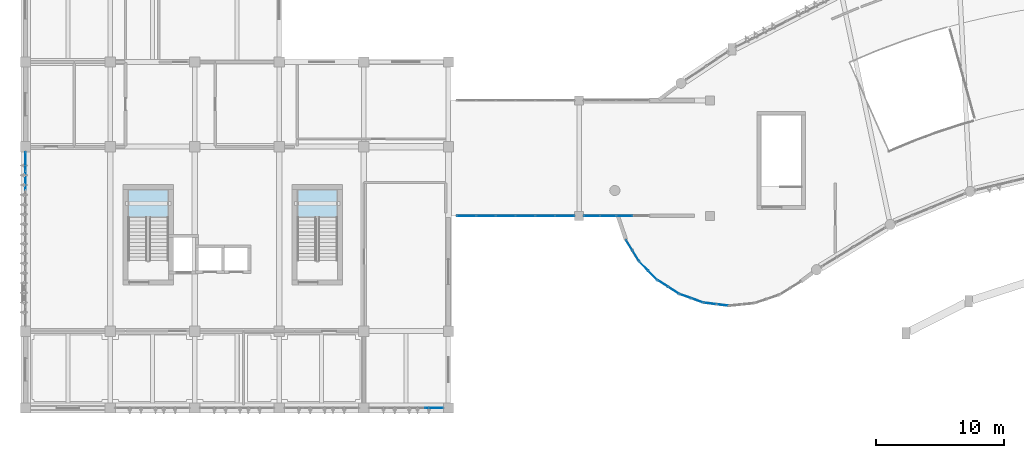
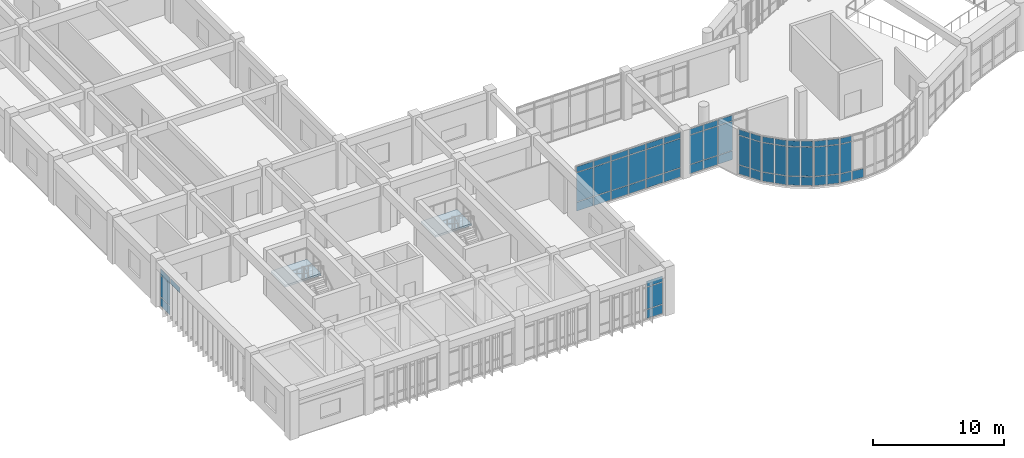
# One storey, part 32 of 54: 62 plates, 2 slabs, 11 elements without a shape of their own.
"""IFC4 building model written with IfcOpenShell, lengths in metres."""

from ifc_helpers import new_model, si_unit, direction, frame, origin, origin_2d, place, context, subcontext, project, spatial, polyline, rectangle, outline, extrude, material, layer, layer_set, type_object, element, aggregate, save


model = new_model("IFC4")

# Units and contexts
model_context = context("Model", 3, precision=1e-05, world=origin(), true_north=direction((0.0, 1.0)))
body_context = subcontext(model_context, "Body", "Model", "MODEL_VIEW")
ifc_project = project(units=[si_unit("LENGTHUNIT", "METRE"), si_unit("AREAUNIT", "SQUARE_METRE"), si_unit("VOLUMEUNIT", "CUBIC_METRE"), si_unit("PLANEANGLEUNIT", "RADIAN"), si_unit("MASSUNIT", "GRAM", prefix="KILO")], contexts=[model_context])

# Site, building, storey
site_placement = place(None, origin())
site = spatial("IfcSite", under=ifc_project, at=site_placement, CompositionType="ELEMENT")
building_placement = place(site_placement, origin())
building = spatial("IfcBuilding", under=site, at=building_placement, Name="Miralva Faculty of Natural Sciences", CompositionType="ELEMENT")
storey_placement = place(building_placement, frame((0.0, 0.0, 19.5)))
storey = spatial("IfcBuildingStorey", under=building, at=storey_placement, Name="L04", CompositionType="ELEMENT", Elevation=19.5)

# Curtain wall, plates
ifc_material_1 = material(Name="Laminated solar-control glass", Category="glass")
ifc_layer_1 = layer(ifc_material_1, 0.179931640625, Name="CW-RND-L03")
ifc_layer_set_1 = layer_set([ifc_layer_1], Name="Laminated solar-control glass")
curtain_wall_type_1 = type_object("IfcCurtainWallType", Name="CW-RND-L03", PredefinedType="USERDEFINED", material=ifc_layer_set_1)
curtain_wall_1_placement = place(storey_placement, origin())
curtain_wall_1 = element("IfcCurtainWall", 1, at=curtain_wall_1_placement, inside=storey, type_object=curtain_wall_type_1, Name="Curtain wall CW-06 L04-192", ObjectType="UNITISED CURTAIN WALL", PredefinedType="USERDEFINED")
ifc_layer_2 = layer(ifc_material_1, 0.028076171875, Name="PNL-P01")
ifc_layer_set_2 = layer_set([ifc_layer_2], Name="Laminated solar-control glass")
plate_type = type_object("IfcPlateType", Name="PNL-P01", PredefinedType="CURTAIN_PANEL", material=ifc_layer_set_2)
plate_1_placement = place(storey_placement, frame((56.412841796875, 11.1591796875, 0.06005859375), z_axis=(0.0, 0.0, 1.0), x_axis=(0.99254734183, -0.121859649701, 0.0)))
plate_1 = element("IfcPlate", 2, at=plate_1_placement, type_object=plate_type, Name="CW-06 panel 1.1", PredefinedType="CURTAIN_PANEL", context=body_context, shape_type="SweptSolid", body=[
    extrude(rectangle(XDim=0.91259765625, YDim=0.028076171875, at=origin_2d()), origin(), (0.0, 0.0, 1.0), 0.81005859375),
])
plate_2_placement = place(storey_placement, frame((56.412841796875, 11.1591796875, 0.929931640625), z_axis=(0.0, 0.0, 1.0), x_axis=(0.99254734183, -0.121859649701, 0.0)))
plate_2 = element("IfcPlate", 3, at=plate_2_placement, type_object=plate_type, Name="CW-06 panel 1.2", PredefinedType="CURTAIN_PANEL", context=body_context, shape_type="SweptSolid", body=[
    extrude(rectangle(XDim=0.91259765625, YDim=0.028076171875, at=origin_2d()), origin(), (0.0, 0.0, 1.0), 2.68994140625),
])
plate_3_placement = place(storey_placement, frame((56.412841796875, 11.1591796875, 3.68017578125), z_axis=(0.0, 0.0, 1.0), x_axis=(0.99254734183, -0.121859649701, 0.0)))
plate_3 = element("IfcPlate", 4, at=plate_3_placement, type_object=plate_type, Name="CW-06 panel 1.3", PredefinedType="CURTAIN_PANEL", context=body_context, shape_type="SweptSolid", body=[
    extrude(rectangle(XDim=0.91259765625, YDim=0.028076171875, at=origin_2d()), origin(), (0.0, 0.0, 1.0), 0.510009765625),
])
plate_4_placement = place(storey_placement, frame((57.38330078125, 11.0400390625, 0.06005859375), z_axis=(0.0, 0.0, 1.0), x_axis=(0.99254734183, -0.121859649701, 0.0)))
plate_4 = element("IfcPlate", 5, at=plate_4_placement, type_object=plate_type, Name="CW-06 panel 2.1", PredefinedType="CURTAIN_PANEL", context=body_context, shape_type="SweptSolid", body=[
    extrude(rectangle(XDim=0.91259765625, YDim=0.028076171875, at=origin_2d()), origin(), (0.0, 0.0, 1.0), 0.81005859375),
])
aggregate(curtain_wall_1, [plate_1, plate_2, plate_3, plate_4])

curtain_wall_2_placement = place(storey_placement, origin())
curtain_wall_2 = element("IfcCurtainWall", 6, at=curtain_wall_2_placement, inside=storey, type_object=curtain_wall_type_1, Name="Curtain wall CW-06 L04-193", ObjectType="UNITISED CURTAIN WALL", PredefinedType="USERDEFINED")
plate_5_placement = place(storey_placement, frame((54.490234375, 11.730224609375, 0.06005859375), z_axis=(0.0, 0.0, 1.0), x_axis=(0.940535451088, -0.339695547876, 0.0)))
plate_5 = element("IfcPlate", 7, at=plate_5_placement, type_object=plate_type, Name="CW-06 panel 1.1", PredefinedType="CURTAIN_PANEL", context=body_context, shape_type="SweptSolid", body=[
    extrude(rectangle(XDim=0.91259765625, YDim=0.028076171875, at=origin_2d()), origin(), (0.0, 0.0, 1.0), 0.81005859375),
])
plate_6_placement = place(storey_placement, frame((54.490234375, 11.730224609375, 0.929931640625), z_axis=(0.0, 0.0, 1.0), x_axis=(0.940535451088, -0.339695547876, 0.0)))
plate_6 = element("IfcPlate", 8, at=plate_6_placement, type_object=plate_type, Name="CW-06 panel 1.2", PredefinedType="CURTAIN_PANEL", context=body_context, shape_type="SweptSolid", body=[
    extrude(rectangle(XDim=0.91259765625, YDim=0.028076171875, at=origin_2d()), origin(), (0.0, 0.0, 1.0), 2.68994140625),
])
plate_7_placement = place(storey_placement, frame((54.490234375, 11.730224609375, 3.68017578125), z_axis=(0.0, 0.0, 1.0), x_axis=(0.940535451088, -0.339695547876, 0.0)))
plate_7 = element("IfcPlate", 9, at=plate_7_placement, type_object=plate_type, Name="CW-06 panel 1.3", PredefinedType="CURTAIN_PANEL", context=body_context, shape_type="SweptSolid", body=[
    extrude(rectangle(XDim=0.91259765625, YDim=0.028076171875, at=origin_2d()), origin(), (0.0, 0.0, 1.0), 0.510009765625),
])
plate_8_placement = place(storey_placement, frame((55.409912109375, 11.39794921875, 0.06005859375), z_axis=(0.0, 0.0, 1.0), x_axis=(0.940535451088, -0.339695547876, 0.0)))
plate_8 = element("IfcPlate", 10, at=plate_8_placement, type_object=plate_type, Name="CW-06 panel 2.1", PredefinedType="CURTAIN_PANEL", context=body_context, shape_type="SweptSolid", body=[
    extrude(rectangle(XDim=0.91259765625, YDim=0.028076171875, at=origin_2d()), origin(), (0.0, 0.0, 1.0), 0.81005859375),
])
plate_9_placement = place(storey_placement, frame((55.409912109375, 11.39794921875, 0.929931640625), z_axis=(0.0, 0.0, 1.0), x_axis=(0.940535451088, -0.339695547876, 0.0)))
plate_9 = element("IfcPlate", 11, at=plate_9_placement, type_object=plate_type, Name="CW-06 panel 2.2", PredefinedType="CURTAIN_PANEL", context=body_context, shape_type="SweptSolid", body=[
    extrude(rectangle(XDim=0.91259765625, YDim=0.028076171875, at=origin_2d()), origin(), (0.0, 0.0, 1.0), 2.68994140625),
])
plate_10_placement = place(storey_placement, frame((55.409912109375, 11.39794921875, 3.68017578125), z_axis=(0.0, 0.0, 1.0), x_axis=(0.940535451088, -0.339695547876, 0.0)))
plate_10 = element("IfcPlate", 12, at=plate_10_placement, type_object=plate_type, Name="CW-06 panel 2.3", PredefinedType="CURTAIN_PANEL", context=body_context, shape_type="SweptSolid", body=[
    extrude(rectangle(XDim=0.91259765625, YDim=0.028076171875, at=origin_2d()), origin(), (0.0, 0.0, 1.0), 0.510009765625),
])
aggregate(curtain_wall_2, [plate_5, plate_6, plate_7, plate_8, plate_9, plate_10])

curtain_wall_3_placement = place(storey_placement, origin())
curtain_wall_3 = element("IfcCurtainWall", 13, at=curtain_wall_3_placement, inside=storey, type_object=curtain_wall_type_1, Name="Curtain wall CW-06 L04-194", ObjectType="UNITISED CURTAIN WALL", PredefinedType="USERDEFINED")
plate_11_placement = place(storey_placement, frame((52.742919921875, 12.714599609375, 0.06005859375), z_axis=(0.0, 0.0, 1.0), x_axis=(0.841379438185, -0.540444854725, 0.0)))
plate_11 = element("IfcPlate", 14, at=plate_11_placement, type_object=plate_type, Name="CW-06 panel 1.1", PredefinedType="CURTAIN_PANEL", context=body_context, shape_type="SweptSolid", body=[
    extrude(rectangle(XDim=0.91259765625, YDim=0.028076171875, at=origin_2d()), origin(), (0.0, 0.0, 1.0), 0.81005859375),
])
plate_12_placement = place(storey_placement, frame((52.742919921875, 12.714599609375, 0.929931640625), z_axis=(0.0, 0.0, 1.0), x_axis=(0.841379438185, -0.540444854725, 0.0)))
plate_12 = element("IfcPlate", 15, at=plate_12_placement, type_object=plate_type, Name="CW-06 panel 1.2", PredefinedType="CURTAIN_PANEL", context=body_context, shape_type="SweptSolid", body=[
    extrude(rectangle(XDim=0.91259765625, YDim=0.028076171875, at=origin_2d()), origin(), (0.0, 0.0, 1.0), 2.68994140625),
])
plate_13_placement = place(storey_placement, frame((52.742919921875, 12.714599609375, 3.68017578125), z_axis=(0.0, 0.0, 1.0), x_axis=(0.841379438185, -0.540444854725, 0.0)))
plate_13 = element("IfcPlate", 16, at=plate_13_placement, type_object=plate_type, Name="CW-06 panel 1.3", PredefinedType="CURTAIN_PANEL", context=body_context, shape_type="SweptSolid", body=[
    extrude(rectangle(XDim=0.91259765625, YDim=0.028076171875, at=origin_2d()), origin(), (0.0, 0.0, 1.0), 0.510009765625),
])
plate_14_placement = place(storey_placement, frame((53.565673828125, 12.186279296875, 0.06005859375), z_axis=(0.0, 0.0, 1.0), x_axis=(0.841379438185, -0.540444854725, 0.0)))
plate_14 = element("IfcPlate", 17, at=plate_14_placement, type_object=plate_type, Name="CW-06 panel 2.1", PredefinedType="CURTAIN_PANEL", context=body_context, shape_type="SweptSolid", body=[
    extrude(rectangle(XDim=0.91259765625, YDim=0.028076171875, at=origin_2d()), origin(), (0.0, 0.0, 1.0), 0.81005859375),
])
plate_15_placement = place(storey_placement, frame((53.565673828125, 12.186279296875, 0.929931640625), z_axis=(0.0, 0.0, 1.0), x_axis=(0.841379438185, -0.540444854725, 0.0)))
plate_15 = element("IfcPlate", 18, at=plate_15_placement, type_object=plate_type, Name="CW-06 panel 2.2", PredefinedType="CURTAIN_PANEL", context=body_context, shape_type="SweptSolid", body=[
    extrude(rectangle(XDim=0.91259765625, YDim=0.028076171875, at=origin_2d()), origin(), (0.0, 0.0, 1.0), 2.68994140625),
])
plate_16_placement = place(storey_placement, frame((53.565673828125, 12.186279296875, 3.68017578125), z_axis=(0.0, 0.0, 1.0), x_axis=(0.841379438185, -0.540444854725, 0.0)))
plate_16 = element("IfcPlate", 19, at=plate_16_placement, type_object=plate_type, Name="CW-06 panel 2.3", PredefinedType="CURTAIN_PANEL", context=body_context, shape_type="SweptSolid", body=[
    extrude(rectangle(XDim=0.91259765625, YDim=0.028076171875, at=origin_2d()), origin(), (0.0, 0.0, 1.0), 0.510009765625),
])
aggregate(curtain_wall_3, [plate_11, plate_12, plate_13, plate_14, plate_15, plate_16])

curtain_wall_4_placement = place(storey_placement, origin())
curtain_wall_4 = element("IfcCurtainWall", 20, at=curtain_wall_4_placement, inside=storey, type_object=curtain_wall_type_1, Name="Curtain wall CW-06 L04-195", ObjectType="UNITISED CURTAIN WALL", PredefinedType="USERDEFINED")
plate_17_placement = place(storey_placement, frame((51.258544921875, 14.063232421875, 0.06005859375), z_axis=(0.0, 0.0, 1.0), x_axis=(0.700018458929, -0.714124749017, 0.0)))
plate_17 = element("IfcPlate", 21, at=plate_17_placement, type_object=plate_type, Name="CW-06 panel 1.1", PredefinedType="CURTAIN_PANEL", context=body_context, shape_type="SweptSolid", body=[
    extrude(rectangle(XDim=0.91259765625, YDim=0.028076171875, at=origin_2d()), origin(), (0.0, 0.0, 1.0), 0.81005859375),
])
plate_18_placement = place(storey_placement, frame((51.258544921875, 14.063232421875, 0.929931640625), z_axis=(0.0, 0.0, 1.0), x_axis=(0.700018458929, -0.714124749017, 0.0)))
plate_18 = element("IfcPlate", 22, at=plate_18_placement, type_object=plate_type, Name="CW-06 panel 1.2", PredefinedType="CURTAIN_PANEL", context=body_context, shape_type="SweptSolid", body=[
    extrude(rectangle(XDim=0.91259765625, YDim=0.028076171875, at=origin_2d()), origin(), (0.0, 0.0, 1.0), 2.68994140625),
])
plate_19_placement = place(storey_placement, frame((51.258544921875, 14.063232421875, 3.68017578125), z_axis=(0.0, 0.0, 1.0), x_axis=(0.700018458929, -0.714124749017, 0.0)))
plate_19 = element("IfcPlate", 23, at=plate_19_placement, type_object=plate_type, Name="CW-06 panel 1.3", PredefinedType="CURTAIN_PANEL", context=body_context, shape_type="SweptSolid", body=[
    extrude(rectangle(XDim=0.91259765625, YDim=0.028076171875, at=origin_2d()), origin(), (0.0, 0.0, 1.0), 0.510009765625),
])
plate_20_placement = place(storey_placement, frame((51.94287109375, 13.364990234375, 0.06005859375), z_axis=(0.0, 0.0, 1.0), x_axis=(0.700018458929, -0.714124749017, 0.0)))
plate_20 = element("IfcPlate", 24, at=plate_20_placement, type_object=plate_type, Name="CW-06 panel 2.1", PredefinedType="CURTAIN_PANEL", context=body_context, shape_type="SweptSolid", body=[
    extrude(rectangle(XDim=0.91259765625, YDim=0.028076171875, at=origin_2d()), origin(), (0.0, 0.0, 1.0), 0.81005859375),
])
plate_21_placement = place(storey_placement, frame((51.94287109375, 13.364990234375, 0.929931640625), z_axis=(0.0, 0.0, 1.0), x_axis=(0.700018458929, -0.714124749017, 0.0)))
plate_21 = element("IfcPlate", 25, at=plate_21_placement, type_object=plate_type, Name="CW-06 panel 2.2", PredefinedType="CURTAIN_PANEL", context=body_context, shape_type="SweptSolid", body=[
    extrude(rectangle(XDim=0.91259765625, YDim=0.028076171875, at=origin_2d()), origin(), (0.0, 0.0, 1.0), 2.68994140625),
])
plate_22_placement = place(storey_placement, frame((51.94287109375, 13.364990234375, 3.68017578125), z_axis=(0.0, 0.0, 1.0), x_axis=(0.700018458929, -0.714124749017, 0.0)))
plate_22 = element("IfcPlate", 26, at=plate_22_placement, type_object=plate_type, Name="CW-06 panel 2.3", PredefinedType="CURTAIN_PANEL", context=body_context, shape_type="SweptSolid", body=[
    extrude(rectangle(XDim=0.91259765625, YDim=0.028076171875, at=origin_2d()), origin(), (0.0, 0.0, 1.0), 0.510009765625),
])
aggregate(curtain_wall_4, [plate_17, plate_18, plate_19, plate_20, plate_21, plate_22])

curtain_wall_5_placement = place(storey_placement, origin())
curtain_wall_5 = element("IfcCurtainWall", 27, at=curtain_wall_5_placement, inside=storey, type_object=curtain_wall_type_1, Name="Curtain wall CW-06 L04-196", ObjectType="UNITISED CURTAIN WALL", PredefinedType="USERDEFINED")
plate_23_placement = place(storey_placement, frame((50.111328125, 15.70849609375, 0.06005859375), z_axis=(0.0, 0.0, 1.0), x_axis=(0.523550543884, -0.851994617353, 0.0)))
plate_23 = element("IfcPlate", 28, at=plate_23_placement, type_object=plate_type, Name="CW-06 panel 1.1", PredefinedType="CURTAIN_PANEL", context=body_context, shape_type="SweptSolid", body=[
    extrude(rectangle(XDim=0.91259765625, YDim=0.028076171875, at=origin_2d()), origin(), (0.0, 0.0, 1.0), 0.81005859375),
])
plate_24_placement = place(storey_placement, frame((50.111328125, 15.70849609375, 0.929931640625), z_axis=(0.0, 0.0, 1.0), x_axis=(0.523550543884, -0.851994617353, 0.0)))
plate_24 = element("IfcPlate", 29, at=plate_24_placement, type_object=plate_type, Name="CW-06 panel 1.2", PredefinedType="CURTAIN_PANEL", context=body_context, shape_type="SweptSolid", body=[
    extrude(rectangle(XDim=0.91259765625, YDim=0.028076171875, at=origin_2d()), origin(), (0.0, 0.0, 1.0), 2.68994140625),
])
plate_25_placement = place(storey_placement, frame((50.111328125, 15.70849609375, 3.68017578125), z_axis=(0.0, 0.0, 1.0), x_axis=(0.523550543884, -0.851994617353, 0.0)))
plate_25 = element("IfcPlate", 30, at=plate_25_placement, type_object=plate_type, Name="CW-06 panel 1.3", PredefinedType="CURTAIN_PANEL", context=body_context, shape_type="SweptSolid", body=[
    extrude(rectangle(XDim=0.91259765625, YDim=0.028076171875, at=origin_2d()), origin(), (0.0, 0.0, 1.0), 0.510009765625),
])
plate_26_placement = place(storey_placement, frame((50.623046875, 14.87548828125, 0.06005859375), z_axis=(0.0, 0.0, 1.0), x_axis=(0.523550543884, -0.851994617353, 0.0)))
plate_26 = element("IfcPlate", 31, at=plate_26_placement, type_object=plate_type, Name="CW-06 panel 2.1", PredefinedType="CURTAIN_PANEL", context=body_context, shape_type="SweptSolid", body=[
    extrude(rectangle(XDim=0.91259765625, YDim=0.028076171875, at=origin_2d()), origin(), (0.0, 0.0, 1.0), 0.81005859375),
])
plate_27_placement = place(storey_placement, frame((50.623046875, 14.87548828125, 0.929931640625), z_axis=(0.0, 0.0, 1.0), x_axis=(0.523550543884, -0.851994617353, 0.0)))
plate_27 = element("IfcPlate", 32, at=plate_27_placement, type_object=plate_type, Name="CW-06 panel 2.2", PredefinedType="CURTAIN_PANEL", context=body_context, shape_type="SweptSolid", body=[
    extrude(rectangle(XDim=0.91259765625, YDim=0.028076171875, at=origin_2d()), origin(), (0.0, 0.0, 1.0), 2.68994140625),
])
plate_28_placement = place(storey_placement, frame((50.623046875, 14.87548828125, 3.68017578125), z_axis=(0.0, 0.0, 1.0), x_axis=(0.523550543884, -0.851994617353, 0.0)))
plate_28 = element("IfcPlate", 33, at=plate_28_placement, type_object=plate_type, Name="CW-06 panel 2.3", PredefinedType="CURTAIN_PANEL", context=body_context, shape_type="SweptSolid", body=[
    extrude(rectangle(XDim=0.91259765625, YDim=0.028076171875, at=origin_2d()), origin(), (0.0, 0.0, 1.0), 0.510009765625),
])
aggregate(curtain_wall_5, [plate_23, plate_24, plate_25, plate_26, plate_27, plate_28])

ifc_layer_3 = layer(ifc_material_1, 0.179931640625, Name="CW-TWR-L03")
ifc_layer_set_3 = layer_set([ifc_layer_3], Name="Laminated solar-control glass")
curtain_wall_type_2 = type_object("IfcCurtainWallType", Name="CW-TWR-L03", PredefinedType="USERDEFINED", material=ifc_layer_set_3)
curtain_wall_6_placement = place(storey_placement, origin())
curtain_wall_6 = element("IfcCurtainWall", 34, at=curtain_wall_6_placement, inside=storey, type_object=curtain_wall_type_2, Name="Curtain wall CW-14 L04-232", ObjectType="UNITISED CURTAIN WALL", PredefinedType="USERDEFINED")
plate_29_placement = place(storey_placement, frame((34.8701171875, 3.0, 0.06005859375), z_axis=(0.0, 0.0, 1.0), x_axis=(1.0, 0.0, 0.0)))
plate_29 = element("IfcPlate", 35, at=plate_29_placement, type_object=plate_type, Name="CW-14 panel 4.1", PredefinedType="CURTAIN_PANEL", context=body_context, shape_type="SweptSolid", body=[
    extrude(rectangle(XDim=1.360107421875, YDim=0.028076171875, at=origin_2d()), origin(), (0.0, 0.0, 1.0), 0.81005859375),
])
plate_30_placement = place(storey_placement, frame((34.8701171875, 3.0, 0.93017578125), z_axis=(0.0, 0.0, 1.0), x_axis=(1.0, 0.0, 0.0)))
plate_30 = element("IfcPlate", 36, at=plate_30_placement, type_object=plate_type, Name="CW-14 panel 4.2", PredefinedType="CURTAIN_PANEL", context=body_context, shape_type="SweptSolid", body=[
    extrude(rectangle(XDim=1.360107421875, YDim=0.028076171875, at=origin_2d()), origin(), (0.0, 0.0, 1.0), 2.014892578125),
])
plate_31_placement = place(storey_placement, frame((34.8701171875, 3.0, 3.0048828125), z_axis=(0.0, 0.0, 1.0), x_axis=(1.0, 0.0, 0.0)))
plate_31 = element("IfcPlate", 37, at=plate_31_placement, type_object=plate_type, Name="CW-14 panel 4.3", PredefinedType="CURTAIN_PANEL", context=body_context, shape_type="SweptSolid", body=[
    extrude(rectangle(XDim=1.360107421875, YDim=0.028076171875, at=origin_2d()), origin(), (0.0, 0.0, 1.0), 0.510009765625),
])
aggregate(curtain_wall_6, [plate_29, plate_30, plate_31])

curtain_wall_7_placement = place(storey_placement, origin())
curtain_wall_7 = element("IfcCurtainWall", 38, at=curtain_wall_7_placement, inside=storey, type_object=curtain_wall_type_2, Name="Curtain wall CW-14 L04-233", ObjectType="UNITISED CURTAIN WALL", PredefinedType="USERDEFINED")
plate_32_placement = place(storey_placement, frame((3.0, 20.743408203125, 3.0048828125), z_axis=(0.0, 0.0, 1.0), x_axis=(0.0, 1.0, 0.0)))
plate_32 = element("IfcPlate", 39, at=plate_32_placement, type_object=plate_type, Name="CW-14 panel 8.3", PredefinedType="CURTAIN_PANEL", context=body_context, shape_type="SweptSolid", body=[
    extrude(rectangle(XDim=1.449462890625, YDim=0.028076171875, at=origin_2d()), origin(), (0.0, 0.0, 1.0), 0.510009765625),
])
plate_33_placement = place(storey_placement, frame((3.0, 22.241455078125, 0.06005859375), z_axis=(0.0, 0.0, 1.0), x_axis=(0.0, 1.0, 0.0)))
plate_33 = element("IfcPlate", 40, at=plate_33_placement, type_object=plate_type, Name="CW-14 panel 9.1", PredefinedType="CURTAIN_PANEL", context=body_context, shape_type="SweptSolid", body=[
    extrude(rectangle(XDim=1.4169921875, YDim=0.028076171875, at=origin_2d()), origin(), (0.0, 0.0, 1.0), 0.81005859375),
])
plate_34_placement = place(storey_placement, frame((3.0, 22.241455078125, 0.93017578125), z_axis=(0.0, 0.0, 1.0), x_axis=(0.0, 1.0, 0.0)))
plate_34 = element("IfcPlate", 41, at=plate_34_placement, type_object=plate_type, Name="CW-14 panel 9.2", PredefinedType="CURTAIN_PANEL", context=body_context, shape_type="SweptSolid", body=[
    extrude(rectangle(XDim=1.4169921875, YDim=0.028076171875, at=origin_2d()), origin(), (0.0, 0.0, 1.0), 2.014892578125),
])
plate_35_placement = place(storey_placement, frame((3.0, 22.241455078125, 3.0048828125), z_axis=(0.0, 0.0, 1.0), x_axis=(0.0, 1.0, 0.0)))
plate_35 = element("IfcPlate", 42, at=plate_35_placement, type_object=plate_type, Name="CW-14 panel 9.3", PredefinedType="CURTAIN_PANEL", context=body_context, shape_type="SweptSolid", body=[
    extrude(rectangle(XDim=1.4169921875, YDim=0.028076171875, at=origin_2d()), origin(), (0.0, 0.0, 1.0), 0.510009765625),
])
aggregate(curtain_wall_7, [plate_32, plate_33, plate_34, plate_35])

ifc_layer_4 = layer(ifc_material_1, 0.179931640625, Name="CW-COM-L01")
ifc_layer_set_4 = layer_set([ifc_layer_4], Name="Laminated solar-control glass")
curtain_wall_type_3 = type_object("IfcCurtainWallType", Name="CW-COM-L01", PredefinedType="USERDEFINED", material=ifc_layer_set_4)
curtain_wall_8_placement = place(storey_placement, origin())
curtain_wall_8 = element("IfcCurtainWall", 43, at=curtain_wall_8_placement, inside=storey, type_object=curtain_wall_type_3, Name="Curtain wall CW-10 L04-306", ObjectType="UNITISED CURTAIN WALL", PredefinedType="USERDEFINED")
plate_36_placement = place(storey_placement, frame((37.405517578125, 18.0, 0.06005859375), z_axis=(0.0, 0.0, 1.0), x_axis=(1.0, 0.0, 0.0)))
plate_36 = element("IfcPlate", 44, at=plate_36_placement, type_object=plate_type, Name="CW-10 panel 1.1", PredefinedType="CURTAIN_PANEL", context=body_context, shape_type="SweptSolid", body=[
    extrude(rectangle(XDim=1.450927734375, YDim=0.028076171875, at=origin_2d()), origin(), (0.0, 0.0, 1.0), 0.81005859375),
])
plate_37_placement = place(storey_placement, frame((37.405517578125, 18.0, 0.929931640625), z_axis=(0.0, 0.0, 1.0), x_axis=(1.0, 0.0, 0.0)))
plate_37 = element("IfcPlate", 45, at=plate_37_placement, type_object=plate_type, Name="CW-10 panel 1.2", PredefinedType="CURTAIN_PANEL", context=body_context, shape_type="SweptSolid", body=[
    extrude(rectangle(XDim=1.450927734375, YDim=0.028076171875, at=origin_2d()), origin(), (0.0, 0.0, 1.0), 2.68994140625),
])
plate_38_placement = place(storey_placement, frame((37.405517578125, 18.0, 3.68017578125), z_axis=(0.0, 0.0, 1.0), x_axis=(1.0, 0.0, 0.0)))
plate_38 = element("IfcPlate", 46, at=plate_38_placement, type_object=plate_type, Name="CW-10 panel 1.3", PredefinedType="CURTAIN_PANEL", context=body_context, shape_type="SweptSolid", body=[
    extrude(rectangle(XDim=1.450927734375, YDim=0.028076171875, at=origin_2d()), origin(), (0.0, 0.0, 1.0), 0.510009765625),
])
plate_39_placement = place(storey_placement, frame((38.93115234375, 18.0, 0.06005859375), z_axis=(0.0, 0.0, 1.0), x_axis=(1.0, 0.0, 0.0)))
plate_39 = element("IfcPlate", 47, at=plate_39_placement, type_object=plate_type, Name="CW-10 panel 2.1", PredefinedType="CURTAIN_PANEL", context=body_context, shape_type="SweptSolid", body=[
    extrude(rectangle(XDim=1.480712890625, YDim=0.028076171875, at=origin_2d()), origin(), (0.0, 0.0, 1.0), 0.81005859375),
])
plate_40_placement = place(storey_placement, frame((38.93115234375, 18.0, 0.929931640625), z_axis=(0.0, 0.0, 1.0), x_axis=(1.0, 0.0, 0.0)))
plate_40 = element("IfcPlate", 48, at=plate_40_placement, type_object=plate_type, Name="CW-10 panel 2.2", PredefinedType="CURTAIN_PANEL", context=body_context, shape_type="SweptSolid", body=[
    extrude(rectangle(XDim=1.480712890625, YDim=0.028076171875, at=origin_2d()), origin(), (0.0, 0.0, 1.0), 2.68994140625),
])
plate_41_placement = place(storey_placement, frame((38.93115234375, 18.0, 3.68017578125), z_axis=(0.0, 0.0, 1.0), x_axis=(1.0, 0.0, 0.0)))
plate_41 = element("IfcPlate", 49, at=plate_41_placement, type_object=plate_type, Name="CW-10 panel 2.3", PredefinedType="CURTAIN_PANEL", context=body_context, shape_type="SweptSolid", body=[
    extrude(rectangle(XDim=1.480712890625, YDim=0.028076171875, at=origin_2d()), origin(), (0.0, 0.0, 1.0), 0.510009765625),
])
plate_42_placement = place(storey_placement, frame((40.47216796875, 18.0, 0.06005859375), z_axis=(0.0, 0.0, 1.0), x_axis=(1.0, 0.0, 0.0)))
plate_42 = element("IfcPlate", 50, at=plate_42_placement, type_object=plate_type, Name="CW-10 panel 3.1", PredefinedType="CURTAIN_PANEL", context=body_context, shape_type="SweptSolid", body=[
    extrude(rectangle(XDim=1.480712890625, YDim=0.028076171875, at=origin_2d()), origin(), (0.0, 0.0, 1.0), 0.81005859375),
])
plate_43_placement = place(storey_placement, frame((40.47216796875, 18.0, 0.929931640625), z_axis=(0.0, 0.0, 1.0), x_axis=(1.0, 0.0, 0.0)))
plate_43 = element("IfcPlate", 51, at=plate_43_placement, type_object=plate_type, Name="CW-10 panel 3.2", PredefinedType="CURTAIN_PANEL", context=body_context, shape_type="SweptSolid", body=[
    extrude(rectangle(XDim=1.480712890625, YDim=0.028076171875, at=origin_2d()), origin(), (0.0, 0.0, 1.0), 2.68994140625),
])
plate_44_placement = place(storey_placement, frame((40.47216796875, 18.0, 3.68017578125), z_axis=(0.0, 0.0, 1.0), x_axis=(1.0, 0.0, 0.0)))
plate_44 = element("IfcPlate", 52, at=plate_44_placement, type_object=plate_type, Name="CW-10 panel 3.3", PredefinedType="CURTAIN_PANEL", context=body_context, shape_type="SweptSolid", body=[
    extrude(rectangle(XDim=1.480712890625, YDim=0.028076171875, at=origin_2d()), origin(), (0.0, 0.0, 1.0), 0.510009765625),
])
plate_45_placement = place(storey_placement, frame((42.012939453125, 18.0, 0.06005859375), z_axis=(0.0, 0.0, 1.0), x_axis=(1.0, 0.0, 0.0)))
plate_45 = element("IfcPlate", 53, at=plate_45_placement, type_object=plate_type, Name="CW-10 panel 4.1", PredefinedType="CURTAIN_PANEL", context=body_context, shape_type="SweptSolid", body=[
    extrude(rectangle(XDim=1.480712890625, YDim=0.028076171875, at=origin_2d()), origin(), (0.0, 0.0, 1.0), 0.81005859375),
])
plate_46_placement = place(storey_placement, frame((42.012939453125, 18.0, 0.929931640625), z_axis=(0.0, 0.0, 1.0), x_axis=(1.0, 0.0, 0.0)))
plate_46 = element("IfcPlate", 54, at=plate_46_placement, type_object=plate_type, Name="CW-10 panel 4.2", PredefinedType="CURTAIN_PANEL", context=body_context, shape_type="SweptSolid", body=[
    extrude(rectangle(XDim=1.480712890625, YDim=0.028076171875, at=origin_2d()), origin(), (0.0, 0.0, 1.0), 2.68994140625),
])
plate_47_placement = place(storey_placement, frame((42.012939453125, 18.0, 3.68017578125), z_axis=(0.0, 0.0, 1.0), x_axis=(1.0, 0.0, 0.0)))
plate_47 = element("IfcPlate", 55, at=plate_47_placement, type_object=plate_type, Name="CW-10 panel 4.3", PredefinedType="CURTAIN_PANEL", context=body_context, shape_type="SweptSolid", body=[
    extrude(rectangle(XDim=1.480712890625, YDim=0.028076171875, at=origin_2d()), origin(), (0.0, 0.0, 1.0), 0.510009765625),
])
plate_48_placement = place(storey_placement, frame((43.5537109375, 18.0, 0.06005859375), z_axis=(0.0, 0.0, 1.0), x_axis=(1.0, 0.0, 0.0)))
plate_48 = element("IfcPlate", 56, at=plate_48_placement, type_object=plate_type, Name="CW-10 panel 5.1", PredefinedType="CURTAIN_PANEL", context=body_context, shape_type="SweptSolid", body=[
    extrude(rectangle(XDim=1.480712890625, YDim=0.028076171875, at=origin_2d()), origin(), (0.0, 0.0, 1.0), 0.81005859375),
])
plate_49_placement = place(storey_placement, frame((43.5537109375, 18.0, 0.929931640625), z_axis=(0.0, 0.0, 1.0), x_axis=(1.0, 0.0, 0.0)))
plate_49 = element("IfcPlate", 57, at=plate_49_placement, type_object=plate_type, Name="CW-10 panel 5.2", PredefinedType="CURTAIN_PANEL", context=body_context, shape_type="SweptSolid", body=[
    extrude(rectangle(XDim=1.480712890625, YDim=0.028076171875, at=origin_2d()), origin(), (0.0, 0.0, 1.0), 2.68994140625),
])
plate_50_placement = place(storey_placement, frame((43.5537109375, 18.0, 3.68017578125), z_axis=(0.0, 0.0, 1.0), x_axis=(1.0, 0.0, 0.0)))
plate_50 = element("IfcPlate", 58, at=plate_50_placement, type_object=plate_type, Name="CW-10 panel 5.3", PredefinedType="CURTAIN_PANEL", context=body_context, shape_type="SweptSolid", body=[
    extrude(rectangle(XDim=1.480712890625, YDim=0.028076171875, at=origin_2d()), origin(), (0.0, 0.0, 1.0), 0.510009765625),
])
plate_51_placement = place(storey_placement, frame((45.07958984375, 18.0, 0.06005859375), z_axis=(0.0, 0.0, 1.0), x_axis=(1.0, 0.0, 0.0)))
plate_51 = element("IfcPlate", 59, at=plate_51_placement, type_object=plate_type, Name="CW-10 panel 6.1", PredefinedType="CURTAIN_PANEL", context=body_context, shape_type="SweptSolid", body=[
    extrude(rectangle(XDim=1.450927734375, YDim=0.028076171875, at=origin_2d()), origin(), (0.0, 0.0, 1.0), 0.81005859375),
])
plate_52_placement = place(storey_placement, frame((45.07958984375, 18.0, 0.929931640625), z_axis=(0.0, 0.0, 1.0), x_axis=(1.0, 0.0, 0.0)))
plate_52 = element("IfcPlate", 60, at=plate_52_placement, type_object=plate_type, Name="CW-10 panel 6.2", PredefinedType="CURTAIN_PANEL", context=body_context, shape_type="SweptSolid", body=[
    extrude(rectangle(XDim=1.450927734375, YDim=0.028076171875, at=origin_2d()), origin(), (0.0, 0.0, 1.0), 2.68994140625),
])
plate_53_placement = place(storey_placement, frame((45.07958984375, 18.0, 3.68017578125), z_axis=(0.0, 0.0, 1.0), x_axis=(1.0, 0.0, 0.0)))
plate_53 = element("IfcPlate", 61, at=plate_53_placement, type_object=plate_type, Name="CW-10 panel 6.3", PredefinedType="CURTAIN_PANEL", context=body_context, shape_type="SweptSolid", body=[
    extrude(rectangle(XDim=1.450927734375, YDim=0.028076171875, at=origin_2d()), origin(), (0.0, 0.0, 1.0), 0.510009765625),
])
aggregate(curtain_wall_8, [plate_36, plate_37, plate_38, plate_39, plate_40, plate_41, plate_42, plate_43, plate_44, plate_45, plate_46, plate_47, plate_48, plate_49, plate_50, plate_51, plate_52, plate_53])

curtain_wall_9_placement = place(storey_placement, origin())
curtain_wall_9 = element("IfcCurtainWall", 62, at=curtain_wall_9_placement, inside=storey, type_object=curtain_wall_type_3, Name="Curtain wall CW-10 L04-307", ObjectType="UNITISED CURTAIN WALL", PredefinedType="USERDEFINED")
plate_54_placement = place(storey_placement, frame((47.193115234375, 18.0, 0.06005859375), z_axis=(0.0, 0.0, 1.0), x_axis=(1.0, 0.0, 0.0)))
plate_54 = element("IfcPlate", 63, at=plate_54_placement, type_object=plate_type, Name="CW-10 panel 1.1", PredefinedType="CURTAIN_PANEL", context=body_context, shape_type="SweptSolid", body=[
    extrude(rectangle(XDim=1.1962890625, YDim=0.028076171875, at=origin_2d()), origin(), (0.0, 0.0, 1.0), 0.81005859375),
])
plate_55_placement = place(storey_placement, frame((47.193115234375, 18.0, 0.929931640625), z_axis=(0.0, 0.0, 1.0), x_axis=(1.0, 0.0, 0.0)))
plate_55 = element("IfcPlate", 64, at=plate_55_placement, type_object=plate_type, Name="CW-10 panel 1.2", PredefinedType="CURTAIN_PANEL", context=body_context, shape_type="SweptSolid", body=[
    extrude(rectangle(XDim=1.1962890625, YDim=0.028076171875, at=origin_2d()), origin(), (0.0, 0.0, 1.0), 2.68994140625),
])
plate_56_placement = place(storey_placement, frame((47.193115234375, 18.0, 3.68017578125), z_axis=(0.0, 0.0, 1.0), x_axis=(1.0, 0.0, 0.0)))
plate_56 = element("IfcPlate", 65, at=plate_56_placement, type_object=plate_type, Name="CW-10 panel 1.3", PredefinedType="CURTAIN_PANEL", context=body_context, shape_type="SweptSolid", body=[
    extrude(rectangle(XDim=1.1962890625, YDim=0.028076171875, at=origin_2d()), origin(), (0.0, 0.0, 1.0), 0.510009765625),
])
plate_57_placement = place(storey_placement, frame((48.46435546875, 18.0, 0.06005859375), z_axis=(0.0, 0.0, 1.0), x_axis=(1.0, 0.0, 0.0)))
plate_57 = element("IfcPlate", 66, at=plate_57_placement, type_object=plate_type, Name="CW-10 panel 2.1", PredefinedType="CURTAIN_PANEL", context=body_context, shape_type="SweptSolid", body=[
    extrude(rectangle(XDim=1.226318359375, YDim=0.028076171875, at=origin_2d()), origin(), (0.0, 0.0, 1.0), 0.81005859375),
])
plate_58_placement = place(storey_placement, frame((48.46435546875, 18.0, 0.929931640625), z_axis=(0.0, 0.0, 1.0), x_axis=(1.0, 0.0, 0.0)))
plate_58 = element("IfcPlate", 67, at=plate_58_placement, type_object=plate_type, Name="CW-10 panel 2.2", PredefinedType="CURTAIN_PANEL", context=body_context, shape_type="SweptSolid", body=[
    extrude(rectangle(XDim=1.226318359375, YDim=0.028076171875, at=origin_2d()), origin(), (0.0, 0.0, 1.0), 2.68994140625),
])
plate_59_placement = place(storey_placement, frame((48.46435546875, 18.0, 3.68017578125), z_axis=(0.0, 0.0, 1.0), x_axis=(1.0, 0.0, 0.0)))
plate_59 = element("IfcPlate", 68, at=plate_59_placement, type_object=plate_type, Name="CW-10 panel 2.3", PredefinedType="CURTAIN_PANEL", context=body_context, shape_type="SweptSolid", body=[
    extrude(rectangle(XDim=1.226318359375, YDim=0.028076171875, at=origin_2d()), origin(), (0.0, 0.0, 1.0), 0.510009765625),
])
plate_60_placement = place(storey_placement, frame((49.750732421875, 18.0, 0.06005859375), z_axis=(0.0, 0.0, 1.0), x_axis=(1.0, 0.0, 0.0)))
plate_60 = element("IfcPlate", 69, at=plate_60_placement, type_object=plate_type, Name="CW-10 panel 3.1", PredefinedType="CURTAIN_PANEL", context=body_context, shape_type="SweptSolid", body=[
    extrude(rectangle(XDim=1.226318359375, YDim=0.028076171875, at=origin_2d()), origin(), (0.0, 0.0, 1.0), 0.81005859375),
])
plate_61_placement = place(storey_placement, frame((49.750732421875, 18.0, 0.929931640625), z_axis=(0.0, 0.0, 1.0), x_axis=(1.0, 0.0, 0.0)))
plate_61 = element("IfcPlate", 70, at=plate_61_placement, type_object=plate_type, Name="CW-10 panel 3.2", PredefinedType="CURTAIN_PANEL", context=body_context, shape_type="SweptSolid", body=[
    extrude(rectangle(XDim=1.226318359375, YDim=0.028076171875, at=origin_2d()), origin(), (0.0, 0.0, 1.0), 2.68994140625),
])
plate_62_placement = place(storey_placement, frame((49.750732421875, 18.0, 3.68017578125), z_axis=(0.0, 0.0, 1.0), x_axis=(1.0, 0.0, 0.0)))
plate_62 = element("IfcPlate", 71, at=plate_62_placement, type_object=plate_type, Name="CW-10 panel 3.3", PredefinedType="CURTAIN_PANEL", context=body_context, shape_type="SweptSolid", body=[
    extrude(rectangle(XDim=1.226318359375, YDim=0.028076171875, at=origin_2d()), origin(), (0.0, 0.0, 1.0), 0.510009765625),
])
aggregate(curtain_wall_9, [plate_54, plate_55, plate_56, plate_57, plate_58, plate_59, plate_60, plate_61, plate_62])

# Stair, slab
ifc_material_2 = material(Name="Concrete C40/50", Category="concrete")
stair_type = type_object("IfcStairType", Name="ST-CORE-450", PredefinedType="HALF_TURN_STAIR", material=ifc_material_2)
stair_1_placement = place(storey_placement, origin())
stair_1 = element("IfcStair", 72, at=stair_1_placement, inside=storey, type_object=stair_type, Name="Exit Stair Core C1 (ST-03) L04", PredefinedType="HALF_TURN_STAIR")
ifc_layer_5 = layer(ifc_material_2, 0.18994140625, Name="SL-LD01")
ifc_layer_set_5 = layer_set([ifc_layer_5], Name="Concrete C40/50")
slab_type = type_object("IfcSlabType", Name="SL-LD01", PredefinedType="LANDING", material=ifc_layer_set_5)
slab_1_placement = place(storey_placement, frame((0.0, 0.0, 2.06005859375)))
slab_1 = element("IfcSlab", 73, at=slab_1_placement, type_object=slab_type, Name="ST-03 landing 1", PredefinedType="LANDING", context=body_context, shape_type="SweptSolid", body=[
    extrude(outline(polyline([(14.14990234375, 17.860107421875), (14.14990234375, 20.050048828125), (11.0, 20.050048828125), (11.0, 17.860107421875), (14.14990234375, 17.860107421875)])), origin(), (0.0, 0.0, 1.0), 0.18994140625),
])
aggregate(stair_1, [slab_1])

stair_2_placement = place(storey_placement, origin())
stair_2 = element("IfcStair", 74, at=stair_2_placement, inside=storey, type_object=stair_type, Name="Exit Stair Core C1B (ST-03) L04", PredefinedType="HALF_TURN_STAIR")
slab_2_placement = place(storey_placement, frame((0.0, 0.0, 2.06005859375)))
slab_2 = element("IfcSlab", 75, at=slab_2_placement, type_object=slab_type, Name="ST-03 landing 1", PredefinedType="LANDING", context=body_context, shape_type="SweptSolid", body=[
    extrude(outline(polyline([(27.35009765625, 17.860107421875), (27.35009765625, 20.050048828125), (24.199951171875, 20.050048828125), (24.199951171875, 17.860107421875), (27.35009765625, 17.860107421875)])), origin(), (0.0, 0.0, 1.0), 0.18994140625),
])
aggregate(stair_2, [slab_2])

save(model, "model.ifc")
